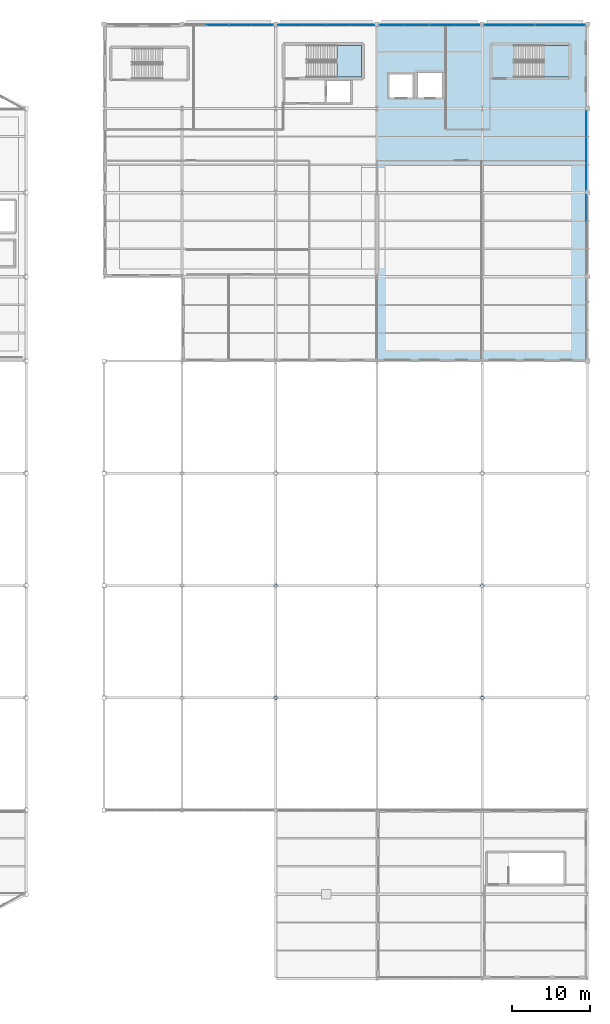
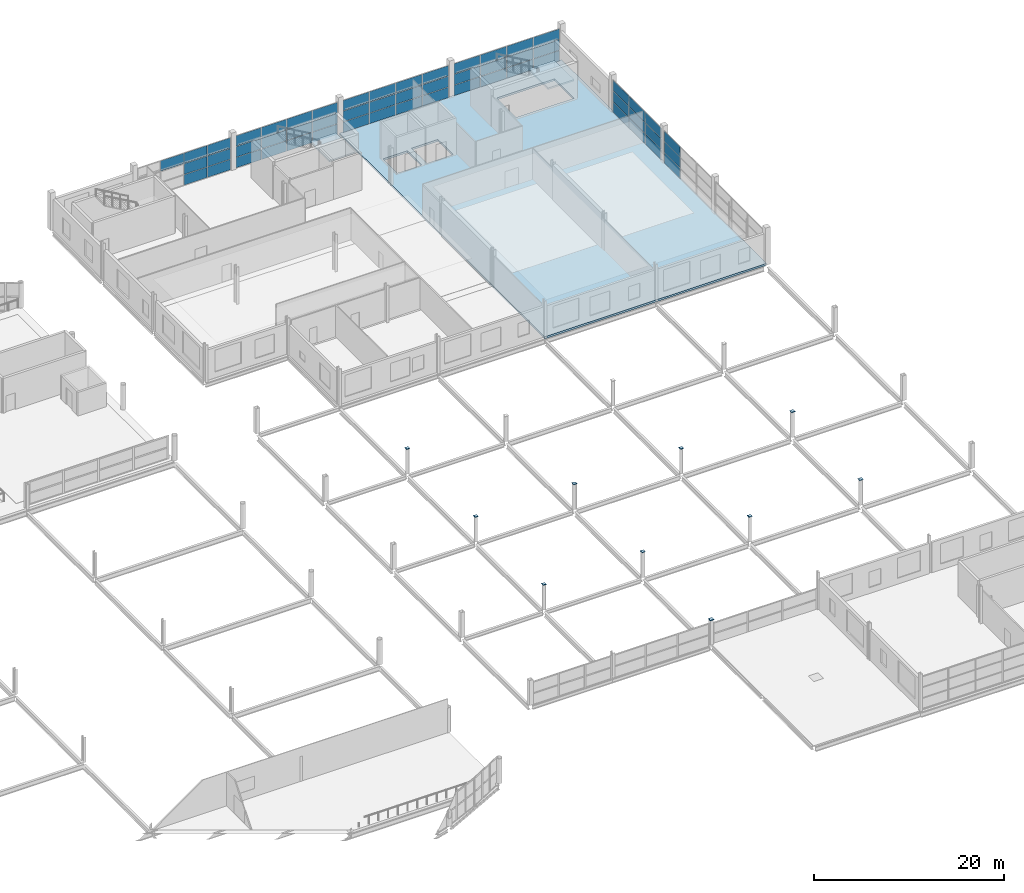
# One storey, part 119 of 134: 65 plates, 3 slabs, 8 elements without a shape of their own.
"""IFC4 building model written with IfcOpenShell, lengths in metres."""

from ifc_helpers import new_model, si_unit, direction, frame, origin, origin_2d, place, context, subcontext, project, spatial, polyline, rectangle, outline, extrude, material, layer, layer_set, type_object, element, aggregate, save


model = new_model("IFC4")

# Units and contexts
model_context = context("Model", 3, precision=1e-05, world=origin(), true_north=direction((0.0, 1.0)))
body_context = subcontext(model_context, "Body", "Model", "MODEL_VIEW")
ifc_project = project(units=[si_unit("LENGTHUNIT", "METRE"), si_unit("AREAUNIT", "SQUARE_METRE"), si_unit("VOLUMEUNIT", "CUBIC_METRE"), si_unit("PLANEANGLEUNIT", "RADIAN"), si_unit("MASSUNIT", "GRAM", prefix="KILO")], contexts=[model_context])

# Site, building, storey
site_placement = place(None, origin())
site = spatial("IfcSite", under=ifc_project, at=site_placement, CompositionType="ELEMENT")
building_placement = place(site_placement, origin())
building = spatial("IfcBuilding", under=site, at=building_placement, Name="Tamarisk Ironworks Central Station", CompositionType="ELEMENT")
storey_placement = place(building_placement, frame((0.0, 0.0, 12.60009765625)))
storey = spatial("IfcBuildingStorey", under=building, at=storey_placement, Name="L02", CompositionType="ELEMENT", Elevation=12.60009765625)

# Curtain wall, plates
ifc_material_1 = material(Name="Anodized aluminium alloy 6063-T6", Category="aluminium")
ifc_layer_1 = layer(ifc_material_1, 0.179931640625)
ifc_layer_set_1 = layer_set([ifc_layer_1], Name="Anodized aluminium alloy 6063-T6")
curtain_wall_type = type_object("IfcCurtainWallType", Name="CW-17", PredefinedType="USERDEFINED", material=ifc_layer_set_1)
curtain_wall_1_placement = place(storey_placement, origin())
curtain_wall_1 = element("IfcCurtainWall", 1, at=curtain_wall_1_placement, inside=storey, type_object=curtain_wall_type, Name="Operations L02 north facade curtain wall 128", ObjectType="GLAZED CURTAIN WALL", PredefinedType="USERDEFINED")
ifc_material_2 = material(Name="Laminated solar-control low-E glass", Category="glass")
ifc_layer_2 = layer(ifc_material_2, 0.028076171875)
ifc_layer_set_2 = layer_set([ifc_layer_2], Name="Laminated solar-control low-E glass")
plate_type_1 = type_object("IfcPlateType", Name="PL-CWP28", PredefinedType="CURTAIN_PANEL", material=ifc_layer_set_2)
plate_1_placement = place(storey_placement, frame((132.574462890625, 122.25, 2.837158203125), z_axis=(0.0, 0.0, 1.0), x_axis=(1.0, 0.0, 0.0)))
plate_1 = element("IfcPlate", 2, at=plate_1_placement, type_object=plate_type_1, Name="CW17 panel 2.3", PredefinedType="CURTAIN_PANEL", context=body_context, shape_type="SweptSolid", body=[
    extrude(rectangle(XDim=2.802978515625, YDim=0.028076171875, at=origin_2d()), origin(), (0.0, 0.0, 1.0), 1.32861328125),
])
plate_2_placement = place(storey_placement, frame((135.425537109375, 122.25, 0.053955078125), z_axis=(0.0, 0.0, 1.0), x_axis=(1.0, 0.0, 0.0)))
plate_2 = element("IfcPlate", 3, at=plate_2_placement, type_object=plate_type_1, Name="CW17 panel 3.1", PredefinedType="CURTAIN_PANEL", context=body_context, shape_type="SweptSolid", body=[
    extrude(rectangle(XDim=2.802978515625, YDim=0.028076171875, at=origin_2d()), origin(), (0.0, 0.0, 1.0), 1.32861328125),
])
plate_3_placement = place(storey_placement, frame((135.425537109375, 122.25, 1.4306640625), z_axis=(0.0, 0.0, 1.0), x_axis=(1.0, 0.0, 0.0)))
plate_3 = element("IfcPlate", 4, at=plate_3_placement, type_object=plate_type_1, Name="CW17 panel 3.2", PredefinedType="CURTAIN_PANEL", context=body_context, shape_type="SweptSolid", body=[
    extrude(rectangle(XDim=2.802978515625, YDim=0.028076171875, at=origin_2d()), origin(), (0.0, 0.0, 1.0), 1.358642578125),
])
plate_4_placement = place(storey_placement, frame((135.425537109375, 122.25, 2.837158203125), z_axis=(0.0, 0.0, 1.0), x_axis=(1.0, 0.0, 0.0)))
plate_4 = element("IfcPlate", 5, at=plate_4_placement, type_object=plate_type_1, Name="CW17 panel 3.3", PredefinedType="CURTAIN_PANEL", context=body_context, shape_type="SweptSolid", body=[
    extrude(rectangle(XDim=2.802978515625, YDim=0.028076171875, at=origin_2d()), origin(), (0.0, 0.0, 1.0), 1.32861328125),
])
plate_5_placement = place(storey_placement, frame((138.261474609375, 122.25, 0.053955078125), z_axis=(0.0, 0.0, 1.0), x_axis=(1.0, 0.0, 0.0)))
plate_5 = element("IfcPlate", 6, at=plate_5_placement, type_object=plate_type_1, Name="CW17 panel 4.1", PredefinedType="CURTAIN_PANEL", context=body_context, shape_type="SweptSolid", body=[
    extrude(rectangle(XDim=2.77294921875, YDim=0.028076171875, at=origin_2d()), origin(), (0.0, 0.0, 1.0), 1.32861328125),
])
plate_6_placement = place(storey_placement, frame((138.261474609375, 122.25, 1.4306640625), z_axis=(0.0, 0.0, 1.0), x_axis=(1.0, 0.0, 0.0)))
plate_6 = element("IfcPlate", 7, at=plate_6_placement, type_object=plate_type_1, Name="CW17 panel 4.2", PredefinedType="CURTAIN_PANEL", context=body_context, shape_type="SweptSolid", body=[
    extrude(rectangle(XDim=2.77294921875, YDim=0.028076171875, at=origin_2d()), origin(), (0.0, 0.0, 1.0), 1.358642578125),
])
plate_7_placement = place(storey_placement, frame((138.261474609375, 122.25, 2.837158203125), z_axis=(0.0, 0.0, 1.0), x_axis=(1.0, 0.0, 0.0)))
plate_7 = element("IfcPlate", 8, at=plate_7_placement, type_object=plate_type_1, Name="CW17 panel 4.3", PredefinedType="CURTAIN_PANEL", context=body_context, shape_type="SweptSolid", body=[
    extrude(rectangle(XDim=2.77294921875, YDim=0.028076171875, at=origin_2d()), origin(), (0.0, 0.0, 1.0), 1.32861328125),
])
aggregate(curtain_wall_1, [plate_1, plate_2, plate_3, plate_4, plate_5, plate_6, plate_7])

curtain_wall_2_placement = place(storey_placement, origin())
curtain_wall_2 = element("IfcCurtainWall", 9, at=curtain_wall_2_placement, inside=storey, type_object=curtain_wall_type, Name="Operations L02 north facade curtain wall 140", ObjectType="GLAZED CURTAIN WALL", PredefinedType="USERDEFINED")
plate_8_placement = place(storey_placement, frame((141.863525390625, 122.25, 0.053955078125), z_axis=(0.0, 0.0, 1.0), x_axis=(1.0, 0.0, 0.0)))
plate_8 = element("IfcPlate", 10, at=plate_8_placement, type_object=plate_type_1, Name="CW17 panel 1.1", PredefinedType="CURTAIN_PANEL", context=body_context, shape_type="SweptSolid", body=[
    extrude(rectangle(XDim=3.02294921875, YDim=0.028076171875, at=origin_2d()), origin(), (0.0, 0.0, 1.0), 1.32861328125),
])
plate_9_placement = place(storey_placement, frame((141.863525390625, 122.25, 1.4306640625), z_axis=(0.0, 0.0, 1.0), x_axis=(1.0, 0.0, 0.0)))
plate_9 = element("IfcPlate", 11, at=plate_9_placement, type_object=plate_type_1, Name="CW17 panel 1.2", PredefinedType="CURTAIN_PANEL", context=body_context, shape_type="SweptSolid", body=[
    extrude(rectangle(XDim=3.02294921875, YDim=0.028076171875, at=origin_2d()), origin(), (0.0, 0.0, 1.0), 1.358642578125),
])
plate_10_placement = place(storey_placement, frame((141.863525390625, 122.25, 2.837158203125), z_axis=(0.0, 0.0, 1.0), x_axis=(1.0, 0.0, 0.0)))
plate_10 = element("IfcPlate", 12, at=plate_10_placement, type_object=plate_type_1, Name="CW17 panel 1.3", PredefinedType="CURTAIN_PANEL", context=body_context, shape_type="SweptSolid", body=[
    extrude(rectangle(XDim=3.02294921875, YDim=0.028076171875, at=origin_2d()), origin(), (0.0, 0.0, 1.0), 1.32861328125),
])
plate_11_placement = place(storey_placement, frame((144.949462890625, 122.25, 0.053955078125), z_axis=(0.0, 0.0, 1.0), x_axis=(1.0, 0.0, 0.0)))
plate_11 = element("IfcPlate", 13, at=plate_11_placement, type_object=plate_type_1, Name="CW17 panel 2.1", PredefinedType="CURTAIN_PANEL", context=body_context, shape_type="SweptSolid", body=[
    extrude(rectangle(XDim=3.052978515625, YDim=0.028076171875, at=origin_2d()), origin(), (0.0, 0.0, 1.0), 1.32861328125),
])
plate_12_placement = place(storey_placement, frame((144.949462890625, 122.25, 1.4306640625), z_axis=(0.0, 0.0, 1.0), x_axis=(1.0, 0.0, 0.0)))
plate_12 = element("IfcPlate", 14, at=plate_12_placement, type_object=plate_type_1, Name="CW17 panel 2.2", PredefinedType="CURTAIN_PANEL", context=body_context, shape_type="SweptSolid", body=[
    extrude(rectangle(XDim=3.052978515625, YDim=0.028076171875, at=origin_2d()), origin(), (0.0, 0.0, 1.0), 1.358642578125),
])
plate_13_placement = place(storey_placement, frame((144.949462890625, 122.25, 2.837158203125), z_axis=(0.0, 0.0, 1.0), x_axis=(1.0, 0.0, 0.0)))
plate_13 = element("IfcPlate", 15, at=plate_13_placement, type_object=plate_type_1, Name="CW17 panel 2.3", PredefinedType="CURTAIN_PANEL", context=body_context, shape_type="SweptSolid", body=[
    extrude(rectangle(XDim=3.052978515625, YDim=0.028076171875, at=origin_2d()), origin(), (0.0, 0.0, 1.0), 1.32861328125),
])
plate_14_placement = place(storey_placement, frame((148.050537109375, 122.25, 0.053955078125), z_axis=(0.0, 0.0, 1.0), x_axis=(1.0, 0.0, 0.0)))
plate_14 = element("IfcPlate", 16, at=plate_14_placement, type_object=plate_type_1, Name="CW17 panel 3.1", PredefinedType="CURTAIN_PANEL", context=body_context, shape_type="SweptSolid", body=[
    extrude(rectangle(XDim=3.052978515625, YDim=0.028076171875, at=origin_2d()), origin(), (0.0, 0.0, 1.0), 1.32861328125),
])
plate_15_placement = place(storey_placement, frame((148.050537109375, 122.25, 1.4306640625), z_axis=(0.0, 0.0, 1.0), x_axis=(1.0, 0.0, 0.0)))
plate_15 = element("IfcPlate", 17, at=plate_15_placement, type_object=plate_type_1, Name="CW17 panel 3.2", PredefinedType="CURTAIN_PANEL", context=body_context, shape_type="SweptSolid", body=[
    extrude(rectangle(XDim=3.052978515625, YDim=0.028076171875, at=origin_2d()), origin(), (0.0, 0.0, 1.0), 1.358642578125),
])
plate_16_placement = place(storey_placement, frame((148.050537109375, 122.25, 2.837158203125), z_axis=(0.0, 0.0, 1.0), x_axis=(1.0, 0.0, 0.0)))
plate_16 = element("IfcPlate", 18, at=plate_16_placement, type_object=plate_type_1, Name="CW17 panel 3.3", PredefinedType="CURTAIN_PANEL", context=body_context, shape_type="SweptSolid", body=[
    extrude(rectangle(XDim=3.052978515625, YDim=0.028076171875, at=origin_2d()), origin(), (0.0, 0.0, 1.0), 1.32861328125),
])
plate_17_placement = place(storey_placement, frame((151.136474609375, 122.25, 0.053955078125), z_axis=(0.0, 0.0, 1.0), x_axis=(1.0, 0.0, 0.0)))
plate_17 = element("IfcPlate", 19, at=plate_17_placement, type_object=plate_type_1, Name="CW17 panel 4.1", PredefinedType="CURTAIN_PANEL", context=body_context, shape_type="SweptSolid", body=[
    extrude(rectangle(XDim=3.02294921875, YDim=0.028076171875, at=origin_2d()), origin(), (0.0, 0.0, 1.0), 1.32861328125),
])
plate_18_placement = place(storey_placement, frame((151.136474609375, 122.25, 1.4306640625), z_axis=(0.0, 0.0, 1.0), x_axis=(1.0, 0.0, 0.0)))
plate_18 = element("IfcPlate", 20, at=plate_18_placement, type_object=plate_type_1, Name="CW17 panel 4.2", PredefinedType="CURTAIN_PANEL", context=body_context, shape_type="SweptSolid", body=[
    extrude(rectangle(XDim=3.02294921875, YDim=0.028076171875, at=origin_2d()), origin(), (0.0, 0.0, 1.0), 1.358642578125),
])
plate_19_placement = place(storey_placement, frame((151.136474609375, 122.25, 2.837158203125), z_axis=(0.0, 0.0, 1.0), x_axis=(1.0, 0.0, 0.0)))
plate_19 = element("IfcPlate", 21, at=plate_19_placement, type_object=plate_type_1, Name="CW17 panel 4.3", PredefinedType="CURTAIN_PANEL", context=body_context, shape_type="SweptSolid", body=[
    extrude(rectangle(XDim=3.02294921875, YDim=0.028076171875, at=origin_2d()), origin(), (0.0, 0.0, 1.0), 1.32861328125),
])
aggregate(curtain_wall_2, [plate_8, plate_9, plate_10, plate_11, plate_12, plate_13, plate_14, plate_15, plate_16, plate_17, plate_18, plate_19])

curtain_wall_3_placement = place(storey_placement, origin())
curtain_wall_3 = element("IfcCurtainWall", 22, at=curtain_wall_3_placement, inside=storey, type_object=curtain_wall_type, Name="Operations L02 north facade curtain wall 153", ObjectType="GLAZED CURTAIN WALL", PredefinedType="USERDEFINED")
plate_20_placement = place(storey_placement, frame((154.926025390625, 122.25, 0.053955078125), z_axis=(0.0, 0.0, 1.0), x_axis=(1.0, 0.0, 0.0)))
plate_20 = element("IfcPlate", 23, at=plate_20_placement, type_object=plate_type_1, Name="CW17 panel 1.1", PredefinedType="CURTAIN_PANEL", context=body_context, shape_type="SweptSolid", body=[
    extrude(rectangle(XDim=3.14794921875, YDim=0.028076171875, at=origin_2d()), origin(), (0.0, 0.0, 1.0), 1.32861328125),
])
plate_21_placement = place(storey_placement, frame((154.926025390625, 122.25, 1.4306640625), z_axis=(0.0, 0.0, 1.0), x_axis=(1.0, 0.0, 0.0)))
plate_21 = element("IfcPlate", 24, at=plate_21_placement, type_object=plate_type_1, Name="CW17 panel 1.2", PredefinedType="CURTAIN_PANEL", context=body_context, shape_type="SweptSolid", body=[
    extrude(rectangle(XDim=3.14794921875, YDim=0.028076171875, at=origin_2d()), origin(), (0.0, 0.0, 1.0), 1.358642578125),
])
plate_22_placement = place(storey_placement, frame((154.926025390625, 122.25, 2.837158203125), z_axis=(0.0, 0.0, 1.0), x_axis=(1.0, 0.0, 0.0)))
plate_22 = element("IfcPlate", 25, at=plate_22_placement, type_object=plate_type_1, Name="CW17 panel 1.3", PredefinedType="CURTAIN_PANEL", context=body_context, shape_type="SweptSolid", body=[
    extrude(rectangle(XDim=3.14794921875, YDim=0.028076171875, at=origin_2d()), origin(), (0.0, 0.0, 1.0), 1.32861328125),
])
plate_23_placement = place(storey_placement, frame((158.136962890625, 122.25, 0.053955078125), z_axis=(0.0, 0.0, 1.0), x_axis=(1.0, 0.0, 0.0)))
plate_23 = element("IfcPlate", 26, at=plate_23_placement, type_object=plate_type_1, Name="CW17 panel 2.1", PredefinedType="CURTAIN_PANEL", context=body_context, shape_type="SweptSolid", body=[
    extrude(rectangle(XDim=3.177978515625, YDim=0.028076171875, at=origin_2d()), origin(), (0.0, 0.0, 1.0), 1.32861328125),
])
plate_24_placement = place(storey_placement, frame((158.136962890625, 122.25, 1.4306640625), z_axis=(0.0, 0.0, 1.0), x_axis=(1.0, 0.0, 0.0)))
plate_24 = element("IfcPlate", 27, at=plate_24_placement, type_object=plate_type_1, Name="CW17 panel 2.2", PredefinedType="CURTAIN_PANEL", context=body_context, shape_type="SweptSolid", body=[
    extrude(rectangle(XDim=3.177978515625, YDim=0.028076171875, at=origin_2d()), origin(), (0.0, 0.0, 1.0), 1.358642578125),
])
plate_25_placement = place(storey_placement, frame((158.136962890625, 122.25, 2.837158203125), z_axis=(0.0, 0.0, 1.0), x_axis=(1.0, 0.0, 0.0)))
plate_25 = element("IfcPlate", 28, at=plate_25_placement, type_object=plate_type_1, Name="CW17 panel 2.3", PredefinedType="CURTAIN_PANEL", context=body_context, shape_type="SweptSolid", body=[
    extrude(rectangle(XDim=3.177978515625, YDim=0.028076171875, at=origin_2d()), origin(), (0.0, 0.0, 1.0), 1.32861328125),
])
plate_26_placement = place(storey_placement, frame((161.363037109375, 122.25, 0.053955078125), z_axis=(0.0, 0.0, 1.0), x_axis=(1.0, 0.0, 0.0)))
plate_26 = element("IfcPlate", 29, at=plate_26_placement, type_object=plate_type_1, Name="CW17 panel 3.1", PredefinedType="CURTAIN_PANEL", context=body_context, shape_type="SweptSolid", body=[
    extrude(rectangle(XDim=3.177978515625, YDim=0.028076171875, at=origin_2d()), origin(), (0.0, 0.0, 1.0), 1.32861328125),
])
plate_27_placement = place(storey_placement, frame((161.363037109375, 122.25, 1.4306640625), z_axis=(0.0, 0.0, 1.0), x_axis=(1.0, 0.0, 0.0)))
plate_27 = element("IfcPlate", 30, at=plate_27_placement, type_object=plate_type_1, Name="CW17 panel 3.2", PredefinedType="CURTAIN_PANEL", context=body_context, shape_type="SweptSolid", body=[
    extrude(rectangle(XDim=3.177978515625, YDim=0.028076171875, at=origin_2d()), origin(), (0.0, 0.0, 1.0), 1.358642578125),
])
plate_28_placement = place(storey_placement, frame((161.363037109375, 122.25, 2.837158203125), z_axis=(0.0, 0.0, 1.0), x_axis=(1.0, 0.0, 0.0)))
plate_28 = element("IfcPlate", 31, at=plate_28_placement, type_object=plate_type_1, Name="CW17 panel 3.3", PredefinedType="CURTAIN_PANEL", context=body_context, shape_type="SweptSolid", body=[
    extrude(rectangle(XDim=3.177978515625, YDim=0.028076171875, at=origin_2d()), origin(), (0.0, 0.0, 1.0), 1.32861328125),
])
plate_29_placement = place(storey_placement, frame((164.573974609375, 122.25, 0.053955078125), z_axis=(0.0, 0.0, 1.0), x_axis=(1.0, 0.0, 0.0)))
plate_29 = element("IfcPlate", 32, at=plate_29_placement, type_object=plate_type_1, Name="CW17 panel 4.1", PredefinedType="CURTAIN_PANEL", context=body_context, shape_type="SweptSolid", body=[
    extrude(rectangle(XDim=3.14794921875, YDim=0.028076171875, at=origin_2d()), origin(), (0.0, 0.0, 1.0), 1.32861328125),
])
plate_30_placement = place(storey_placement, frame((164.573974609375, 122.25, 1.4306640625), z_axis=(0.0, 0.0, 1.0), x_axis=(1.0, 0.0, 0.0)))
plate_30 = element("IfcPlate", 33, at=plate_30_placement, type_object=plate_type_1, Name="CW17 panel 4.2", PredefinedType="CURTAIN_PANEL", context=body_context, shape_type="SweptSolid", body=[
    extrude(rectangle(XDim=3.14794921875, YDim=0.028076171875, at=origin_2d()), origin(), (0.0, 0.0, 1.0), 1.358642578125),
])
plate_31_placement = place(storey_placement, frame((164.573974609375, 122.25, 2.837158203125), z_axis=(0.0, 0.0, 1.0), x_axis=(1.0, 0.0, 0.0)))
plate_31 = element("IfcPlate", 34, at=plate_31_placement, type_object=plate_type_1, Name="CW17 panel 4.3", PredefinedType="CURTAIN_PANEL", context=body_context, shape_type="SweptSolid", body=[
    extrude(rectangle(XDim=3.14794921875, YDim=0.028076171875, at=origin_2d()), origin(), (0.0, 0.0, 1.0), 1.32861328125),
])
aggregate(curtain_wall_3, [plate_20, plate_21, plate_22, plate_23, plate_24, plate_25, plate_26, plate_27, plate_28, plate_29, plate_30, plate_31])

curtain_wall_4_placement = place(storey_placement, origin())
curtain_wall_4 = element("IfcCurtainWall", 35, at=curtain_wall_4_placement, inside=storey, type_object=curtain_wall_type, Name="Operations L02 north facade curtain wall 166", ObjectType="GLAZED CURTAIN WALL", PredefinedType="USERDEFINED")
plate_32_placement = place(storey_placement, frame((168.426025390625, 122.25, 0.053955078125), z_axis=(0.0, 0.0, 1.0), x_axis=(1.0, 0.0, 0.0)))
plate_32 = element("IfcPlate", 36, at=plate_32_placement, type_object=plate_type_1, Name="CW17 panel 1.1", PredefinedType="CURTAIN_PANEL", context=body_context, shape_type="SweptSolid", body=[
    extrude(rectangle(XDim=3.14794921875, YDim=0.028076171875, at=origin_2d()), origin(), (0.0, 0.0, 1.0), 1.32861328125),
])
plate_33_placement = place(storey_placement, frame((168.426025390625, 122.25, 1.4306640625), z_axis=(0.0, 0.0, 1.0), x_axis=(1.0, 0.0, 0.0)))
plate_33 = element("IfcPlate", 37, at=plate_33_placement, type_object=plate_type_1, Name="CW17 panel 1.2", PredefinedType="CURTAIN_PANEL", context=body_context, shape_type="SweptSolid", body=[
    extrude(rectangle(XDim=3.14794921875, YDim=0.028076171875, at=origin_2d()), origin(), (0.0, 0.0, 1.0), 1.358642578125),
])
plate_34_placement = place(storey_placement, frame((168.426025390625, 122.25, 2.837158203125), z_axis=(0.0, 0.0, 1.0), x_axis=(1.0, 0.0, 0.0)))
plate_34 = element("IfcPlate", 38, at=plate_34_placement, type_object=plate_type_1, Name="CW17 panel 1.3", PredefinedType="CURTAIN_PANEL", context=body_context, shape_type="SweptSolid", body=[
    extrude(rectangle(XDim=3.14794921875, YDim=0.028076171875, at=origin_2d()), origin(), (0.0, 0.0, 1.0), 1.32861328125),
])
plate_35_placement = place(storey_placement, frame((171.636962890625, 122.25, 0.053955078125), z_axis=(0.0, 0.0, 1.0), x_axis=(1.0, 0.0, 0.0)))
plate_35 = element("IfcPlate", 39, at=plate_35_placement, type_object=plate_type_1, Name="CW17 panel 2.1", PredefinedType="CURTAIN_PANEL", context=body_context, shape_type="SweptSolid", body=[
    extrude(rectangle(XDim=3.177978515625, YDim=0.028076171875, at=origin_2d()), origin(), (0.0, 0.0, 1.0), 1.32861328125),
])
plate_36_placement = place(storey_placement, frame((171.636962890625, 122.25, 1.4306640625), z_axis=(0.0, 0.0, 1.0), x_axis=(1.0, 0.0, 0.0)))
plate_36 = element("IfcPlate", 40, at=plate_36_placement, type_object=plate_type_1, Name="CW17 panel 2.2", PredefinedType="CURTAIN_PANEL", context=body_context, shape_type="SweptSolid", body=[
    extrude(rectangle(XDim=3.177978515625, YDim=0.028076171875, at=origin_2d()), origin(), (0.0, 0.0, 1.0), 1.358642578125),
])
plate_37_placement = place(storey_placement, frame((171.636962890625, 122.25, 2.837158203125), z_axis=(0.0, 0.0, 1.0), x_axis=(1.0, 0.0, 0.0)))
plate_37 = element("IfcPlate", 41, at=plate_37_placement, type_object=plate_type_1, Name="CW17 panel 2.3", PredefinedType="CURTAIN_PANEL", context=body_context, shape_type="SweptSolid", body=[
    extrude(rectangle(XDim=3.177978515625, YDim=0.028076171875, at=origin_2d()), origin(), (0.0, 0.0, 1.0), 1.32861328125),
])
plate_38_placement = place(storey_placement, frame((174.863037109375, 122.25, 0.053955078125), z_axis=(0.0, 0.0, 1.0), x_axis=(1.0, 0.0, 0.0)))
plate_38 = element("IfcPlate", 42, at=plate_38_placement, type_object=plate_type_1, Name="CW17 panel 3.1", PredefinedType="CURTAIN_PANEL", context=body_context, shape_type="SweptSolid", body=[
    extrude(rectangle(XDim=3.177978515625, YDim=0.028076171875, at=origin_2d()), origin(), (0.0, 0.0, 1.0), 1.32861328125),
])
plate_39_placement = place(storey_placement, frame((174.863037109375, 122.25, 1.4306640625), z_axis=(0.0, 0.0, 1.0), x_axis=(1.0, 0.0, 0.0)))
plate_39 = element("IfcPlate", 43, at=plate_39_placement, type_object=plate_type_1, Name="CW17 panel 3.2", PredefinedType="CURTAIN_PANEL", context=body_context, shape_type="SweptSolid", body=[
    extrude(rectangle(XDim=3.177978515625, YDim=0.028076171875, at=origin_2d()), origin(), (0.0, 0.0, 1.0), 1.358642578125),
])
plate_40_placement = place(storey_placement, frame((174.863037109375, 122.25, 2.837158203125), z_axis=(0.0, 0.0, 1.0), x_axis=(1.0, 0.0, 0.0)))
plate_40 = element("IfcPlate", 44, at=plate_40_placement, type_object=plate_type_1, Name="CW17 panel 3.3", PredefinedType="CURTAIN_PANEL", context=body_context, shape_type="SweptSolid", body=[
    extrude(rectangle(XDim=3.177978515625, YDim=0.028076171875, at=origin_2d()), origin(), (0.0, 0.0, 1.0), 1.32861328125),
])
plate_41_placement = place(storey_placement, frame((178.073974609375, 122.25, 0.053955078125), z_axis=(0.0, 0.0, 1.0), x_axis=(1.0, 0.0, 0.0)))
plate_41 = element("IfcPlate", 45, at=plate_41_placement, type_object=plate_type_1, Name="CW17 panel 4.1", PredefinedType="CURTAIN_PANEL", context=body_context, shape_type="SweptSolid", body=[
    extrude(rectangle(XDim=3.14794921875, YDim=0.028076171875, at=origin_2d()), origin(), (0.0, 0.0, 1.0), 1.32861328125),
])
plate_42_placement = place(storey_placement, frame((178.073974609375, 122.25, 1.4306640625), z_axis=(0.0, 0.0, 1.0), x_axis=(1.0, 0.0, 0.0)))
plate_42 = element("IfcPlate", 46, at=plate_42_placement, type_object=plate_type_1, Name="CW17 panel 4.2", PredefinedType="CURTAIN_PANEL", context=body_context, shape_type="SweptSolid", body=[
    extrude(rectangle(XDim=3.14794921875, YDim=0.028076171875, at=origin_2d()), origin(), (0.0, 0.0, 1.0), 1.358642578125),
])
plate_43_placement = place(storey_placement, frame((178.073974609375, 122.25, 2.837158203125), z_axis=(0.0, 0.0, 1.0), x_axis=(1.0, 0.0, 0.0)))
plate_43 = element("IfcPlate", 47, at=plate_43_placement, type_object=plate_type_1, Name="CW17 panel 4.3", PredefinedType="CURTAIN_PANEL", context=body_context, shape_type="SweptSolid", body=[
    extrude(rectangle(XDim=3.14794921875, YDim=0.028076171875, at=origin_2d()), origin(), (0.0, 0.0, 1.0), 1.32861328125),
])
aggregate(curtain_wall_4, [plate_32, plate_33, plate_34, plate_35, plate_36, plate_37, plate_38, plate_39, plate_40, plate_41, plate_42, plate_43])

curtain_wall_5_placement = place(storey_placement, origin())
curtain_wall_5 = element("IfcCurtainWall", 48, at=curtain_wall_5_placement, inside=storey, type_object=curtain_wall_type, Name="Operations L02 east facade curtain wall 090", ObjectType="GLAZED CURTAIN WALL", PredefinedType="USERDEFINED")
plate_44_placement = place(storey_placement, frame((179.85009765625, 98.786376953125, 0.053955078125), z_axis=(0.0, 0.0, 1.0), x_axis=(0.0, 1.0, 0.0)))
plate_44 = element("IfcPlate", 49, at=plate_44_placement, type_object=plate_type_1, Name="CW17 panel 3.1", PredefinedType="CURTAIN_PANEL", context=body_context, shape_type="SweptSolid", body=[
    extrude(rectangle(XDim=3.3232421875, YDim=0.028076171875, at=origin_2d()), origin(), (0.0, 0.0, 1.0), 1.32861328125),
])
plate_45_placement = place(storey_placement, frame((179.85009765625, 98.786376953125, 1.4306640625), z_axis=(0.0, 0.0, 1.0), x_axis=(0.0, 1.0, 0.0)))
plate_45 = element("IfcPlate", 50, at=plate_45_placement, type_object=plate_type_1, Name="CW17 panel 3.2", PredefinedType="CURTAIN_PANEL", context=body_context, shape_type="SweptSolid", body=[
    extrude(rectangle(XDim=3.3232421875, YDim=0.028076171875, at=origin_2d()), origin(), (0.0, 0.0, 1.0), 1.358642578125),
])
plate_46_placement = place(storey_placement, frame((179.85009765625, 98.786376953125, 2.837158203125), z_axis=(0.0, 0.0, 1.0), x_axis=(0.0, 1.0, 0.0)))
plate_46 = element("IfcPlate", 51, at=plate_46_placement, type_object=plate_type_1, Name="CW17 panel 3.3", PredefinedType="CURTAIN_PANEL", context=body_context, shape_type="SweptSolid", body=[
    extrude(rectangle(XDim=3.3232421875, YDim=0.028076171875, at=origin_2d()), origin(), (0.0, 0.0, 1.0), 1.32861328125),
])
aggregate(curtain_wall_5, [plate_44, plate_45, plate_46])

curtain_wall_6_placement = place(storey_placement, origin())
curtain_wall_6 = element("IfcCurtainWall", 52, at=curtain_wall_6_placement, inside=storey, type_object=curtain_wall_type, Name="Operations L02 east facade curtain wall 100", ObjectType="GLAZED CURTAIN WALL", PredefinedType="USERDEFINED")
plate_47_placement = place(storey_placement, frame((179.85009765625, 102.813720703125, 0.053955078125), z_axis=(0.0, 0.0, 1.0), x_axis=(0.0, 1.0, 0.0)))
plate_47 = element("IfcPlate", 53, at=plate_47_placement, type_object=plate_type_1, Name="CW17 panel 1.1", PredefinedType="CURTAIN_PANEL", context=body_context, shape_type="SweptSolid", body=[
    extrude(rectangle(XDim=3.3232421875, YDim=0.028076171875, at=origin_2d()), origin(), (0.0, 0.0, 1.0), 1.32861328125),
])
plate_48_placement = place(storey_placement, frame((179.85009765625, 102.813720703125, 1.4306640625), z_axis=(0.0, 0.0, 1.0), x_axis=(0.0, 1.0, 0.0)))
plate_48 = element("IfcPlate", 54, at=plate_48_placement, type_object=plate_type_1, Name="CW17 panel 1.2", PredefinedType="CURTAIN_PANEL", context=body_context, shape_type="SweptSolid", body=[
    extrude(rectangle(XDim=3.3232421875, YDim=0.028076171875, at=origin_2d()), origin(), (0.0, 0.0, 1.0), 1.358642578125),
])
plate_49_placement = place(storey_placement, frame((179.85009765625, 102.813720703125, 2.837158203125), z_axis=(0.0, 0.0, 1.0), x_axis=(0.0, 1.0, 0.0)))
plate_49 = element("IfcPlate", 55, at=plate_49_placement, type_object=plate_type_1, Name="CW17 panel 1.3", PredefinedType="CURTAIN_PANEL", context=body_context, shape_type="SweptSolid", body=[
    extrude(rectangle(XDim=3.3232421875, YDim=0.028076171875, at=origin_2d()), origin(), (0.0, 0.0, 1.0), 1.32861328125),
])
plate_50_placement = place(storey_placement, frame((179.85009765625, 106.199951171875, 0.053955078125), z_axis=(0.0, 0.0, 1.0), x_axis=(0.0, 1.0, 0.0)))
plate_50 = element("IfcPlate", 56, at=plate_50_placement, type_object=plate_type_1, Name="CW17 panel 2.1", PredefinedType="CURTAIN_PANEL", context=body_context, shape_type="SweptSolid", body=[
    extrude(rectangle(XDim=3.353271484375, YDim=0.028076171875, at=origin_2d()), origin(), (0.0, 0.0, 1.0), 1.32861328125),
])
plate_51_placement = place(storey_placement, frame((179.85009765625, 106.199951171875, 1.4306640625), z_axis=(0.0, 0.0, 1.0), x_axis=(0.0, 1.0, 0.0)))
plate_51 = element("IfcPlate", 57, at=plate_51_placement, type_object=plate_type_1, Name="CW17 panel 2.2", PredefinedType="CURTAIN_PANEL", context=body_context, shape_type="SweptSolid", body=[
    extrude(rectangle(XDim=3.353271484375, YDim=0.028076171875, at=origin_2d()), origin(), (0.0, 0.0, 1.0), 1.358642578125),
])
plate_52_placement = place(storey_placement, frame((179.85009765625, 106.199951171875, 2.837158203125), z_axis=(0.0, 0.0, 1.0), x_axis=(0.0, 1.0, 0.0)))
plate_52 = element("IfcPlate", 58, at=plate_52_placement, type_object=plate_type_1, Name="CW17 panel 2.3", PredefinedType="CURTAIN_PANEL", context=body_context, shape_type="SweptSolid", body=[
    extrude(rectangle(XDim=3.353271484375, YDim=0.028076171875, at=origin_2d()), origin(), (0.0, 0.0, 1.0), 1.32861328125),
])
plate_53_placement = place(storey_placement, frame((179.85009765625, 109.58642578125, 0.053955078125), z_axis=(0.0, 0.0, 1.0), x_axis=(0.0, 1.0, 0.0)))
plate_53 = element("IfcPlate", 59, at=plate_53_placement, type_object=plate_type_1, Name="CW17 panel 3.1", PredefinedType="CURTAIN_PANEL", context=body_context, shape_type="SweptSolid", body=[
    extrude(rectangle(XDim=3.3232421875, YDim=0.028076171875, at=origin_2d()), origin(), (0.0, 0.0, 1.0), 1.32861328125),
])
plate_54_placement = place(storey_placement, frame((179.85009765625, 109.58642578125, 1.4306640625), z_axis=(0.0, 0.0, 1.0), x_axis=(0.0, 1.0, 0.0)))
plate_54 = element("IfcPlate", 60, at=plate_54_placement, type_object=plate_type_1, Name="CW17 panel 3.2", PredefinedType="CURTAIN_PANEL", context=body_context, shape_type="SweptSolid", body=[
    extrude(rectangle(XDim=3.3232421875, YDim=0.028076171875, at=origin_2d()), origin(), (0.0, 0.0, 1.0), 1.358642578125),
])
plate_55_placement = place(storey_placement, frame((179.85009765625, 109.58642578125, 2.837158203125), z_axis=(0.0, 0.0, 1.0), x_axis=(0.0, 1.0, 0.0)))
plate_55 = element("IfcPlate", 61, at=plate_55_placement, type_object=plate_type_1, Name="CW17 panel 3.3", PredefinedType="CURTAIN_PANEL", context=body_context, shape_type="SweptSolid", body=[
    extrude(rectangle(XDim=3.3232421875, YDim=0.028076171875, at=origin_2d()), origin(), (0.0, 0.0, 1.0), 1.32861328125),
])
aggregate(curtain_wall_6, [plate_47, plate_48, plate_49, plate_50, plate_51, plate_52, plate_53, plate_54, plate_55])

# Plates
ifc_material_3 = material(Name="Painted structural steel S355J2", Category="steel")
ifc_layer_3 = layer(ifc_material_3, 0.01611328125)
ifc_layer_set_3 = layer_set([ifc_layer_3], Name="Painted structural steel S355J2")
plate_type_2 = type_object("IfcPlateType", Name="PL-EC16", PredefinedType="SHEET", material=ifc_layer_set_3)
plate_56_placement = place(storey_placement, frame((140.0, 21.60009765625, 3.19189453125), z_axis=(0.0, 0.0, 1.0), x_axis=(1.0, 0.0, 0.0)))
element("IfcPlate", 62, at=plate_56_placement, inside=storey, type_object=plate_type_2, Name="Hollow section welded end-cap plate 03", PredefinedType="SHEET", context=body_context, shape_type="SweptSolid", body=[
    extrude(rectangle(XDim=0.4599609375, YDim=0.4599609375, at=origin_2d()), origin(), (0.0, 0.0, 1.0), 0.01611328125),
])
for number, where, z_axis, x_axis, name in (
    (63, (128.0, 36.0, 3.19189453125), (0.0, 0.0, 1.0), (1.0, 0.0, 0.0), "Hollow section welded end-cap plate 04"),
    (64, (128.0, 50.39990234375, 3.19189453125), (0.0, 0.0, 1.0), (1.0, 0.0, 0.0), "Hollow section welded end-cap plate 05"),
    (65, (128.0, 64.800048828125, 3.19189453125), (0.0, 0.0, 1.0), (1.0, 0.0, 0.0), "Hollow section welded end-cap plate 06"),
):
    element("IfcPlate", number, at=place(storey_placement, frame(where, z_axis=z_axis, x_axis=x_axis)), inside=storey, type_object=plate_type_2, Name=name, PredefinedType="SHEET", context=body_context, shape_type="SweptSolid", body=[
        extrude(rectangle(XDim=0.39990234375, YDim=0.39990234375, at=origin_2d()), origin(), (0.0, 0.0, 1.0), 0.01611328125),
    ])
for number, where, z_axis, x_axis, name in (
    (66, (140.0, 36.0, 3.19189453125), (0.0, 0.0, 1.0), (1.0, 0.0, 0.0), "Hollow section welded end-cap plate 07"),
    (67, (140.0, 50.39990234375, 3.19189453125), (0.0, 0.0, 1.0), (1.0, 0.0, 0.0), "Hollow section welded end-cap plate 08"),
):
    element("IfcPlate", number, at=place(storey_placement, frame(where, z_axis=z_axis, x_axis=x_axis)), inside=storey, type_object=plate_type_2, Name=name, PredefinedType="SHEET", context=body_context, shape_type="SweptSolid", body=[
        extrude(rectangle(XDim=0.419921875, YDim=0.419921875, at=origin_2d()), origin(), (0.0, 0.0, 1.0), 0.01611328125),
    ])
for number, where, z_axis, x_axis, name in (
    (68, (153.0, 36.0, 3.19189453125), (0.0, 0.0, 1.0), (1.0, 0.0, 0.0), "Hollow section welded end-cap plate 10"),
    (69, (153.0, 50.39990234375, 3.19189453125), (0.0, 0.0, 1.0), (1.0, 0.0, 0.0), "Hollow section welded end-cap plate 11"),
):
    element("IfcPlate", number, at=place(storey_placement, frame(where, z_axis=z_axis, x_axis=x_axis)), inside=storey, type_object=plate_type_2, Name=name, PredefinedType="SHEET", context=body_context, shape_type="SweptSolid", body=[
        extrude(rectangle(XDim=0.39990234375, YDim=0.39990234375, at=origin_2d()), origin(), (0.0, 0.0, 1.0), 0.01611328125),
    ])
for number, where, z_axis, x_axis, name in (
    (70, (166.5, 36.0, 3.19189453125), (0.0, 0.0, 1.0), (1.0, 0.0, 0.0), "Hollow section welded end-cap plate 13"),
    (71, (166.5, 50.39990234375, 3.19189453125), (0.0, 0.0, 1.0), (1.0, 0.0, 0.0), "Hollow section welded end-cap plate 14"),
):
    element("IfcPlate", number, at=place(storey_placement, frame(where, z_axis=z_axis, x_axis=x_axis)), inside=storey, type_object=plate_type_2, Name=name, PredefinedType="SHEET", context=body_context, shape_type="SweptSolid", body=[
        extrude(rectangle(XDim=0.419921875, YDim=0.419921875, at=origin_2d()), origin(), (0.0, 0.0, 1.0), 0.01611328125),
    ])

# Slab
ifc_material_4 = material(Name="Concrete C35/45", Category="concrete")
ifc_layer_4 = layer(ifc_material_4, 0.25)
ifc_layer_set_4 = layer_set([ifc_layer_4], Name="Concrete C35/45")
slab_type_1 = type_object("IfcSlabType", Name="SL-FL250", PredefinedType="FLOOR", material=ifc_layer_set_4)
slab_1_placement = place(storey_placement, frame((0.0, 0.0, -0.25)))
element("IfcSlab", 72, at=slab_1_placement, inside=storey, type_object=slab_type_1, Name="L02 Mezzanine and Upper Floor Slab V5-NE", PredefinedType="FLOOR", context=body_context, shape_type="SweptSolid", body=[
    extrude(outline(polyline([(153.0, 79.199951171875), (180.0, 79.199951171875), (180.0, 122.39990234375), (153.0, 122.39990234375), (153.0, 79.199951171875)]), holes=[polyline([(170.550048828125, 115.60009765625), (177.60009765625, 115.60009765625), (177.60009765625, 119.699951171875), (170.550048828125, 119.699951171875), (170.550048828125, 115.60009765625)]), polyline([(154.60009765625, 113.0), (157.60009765625, 113.0), (157.60009765625, 116.0), (154.60009765625, 116.0), (154.60009765625, 113.0)]), polyline([(158.199951171875, 113.0), (161.39990234375, 113.0), (161.39990234375, 116.199951171875), (158.199951171875, 116.199951171875), (158.199951171875, 113.0)])]), origin(), (0.0, 0.0, 1.0), 0.25),
])

# Stair, slab
stair_type = type_object("IfcStairType", Name="ST-CORE-A", PredefinedType="HALF_TURN_STAIR", material=ifc_material_4)
stair_1_placement = place(storey_placement, origin())
stair_1 = element("IfcStair", 73, at=stair_1_placement, inside=storey, type_object=stair_type, Name="L02 Firefighting Exit Stair Core 1", PredefinedType="HALF_TURN_STAIR")
ifc_layer_5 = layer(ifc_material_4, 0.215087890625)
ifc_layer_set_5 = layer_set([ifc_layer_5], Name="Concrete C35/45")
slab_type_2 = type_object("IfcSlabType", Name="SL-LD220", PredefinedType="LANDING", material=ifc_layer_set_5)
slab_2_placement = place(storey_placement, frame((0.0, 0.0, 2.199951171875)))
slab_2 = element("IfcSlab", 74, at=slab_2_placement, type_object=slab_type_2, Name="ST-C1 landing 1", PredefinedType="LANDING", context=body_context, shape_type="SweptSolid", body=[
    extrude(outline(polyline([(147.85009765625, 115.60009765625), (151.0, 115.60009765625), (151.0, 119.699951171875), (147.85009765625, 119.699951171875), (147.85009765625, 115.60009765625)])), origin(), (0.0, 0.0, 1.0), 0.199951171875),
])
aggregate(stair_1, [slab_2])

stair_2_placement = place(storey_placement, origin())
stair_2 = element("IfcStair", 75, at=stair_2_placement, inside=storey, type_object=stair_type, Name="L02 East Operations Exit Stair Core 2", PredefinedType="HALF_TURN_STAIR")
slab_3_placement = place(storey_placement, frame((0.0, 0.0, 2.199951171875)))
slab_3 = element("IfcSlab", 76, at=slab_3_placement, type_object=slab_type_2, Name="ST-C2 landing 1", PredefinedType="LANDING", context=body_context, shape_type="SweptSolid", body=[
    extrude(outline(polyline([(174.449951171875, 115.60009765625), (177.60009765625, 115.60009765625), (177.60009765625, 119.699951171875), (174.449951171875, 119.699951171875), (174.449951171875, 115.60009765625)])), origin(), (0.0, 0.0, 1.0), 0.199951171875),
])
aggregate(stair_2, [slab_3])

save(model, "model.ifc")
